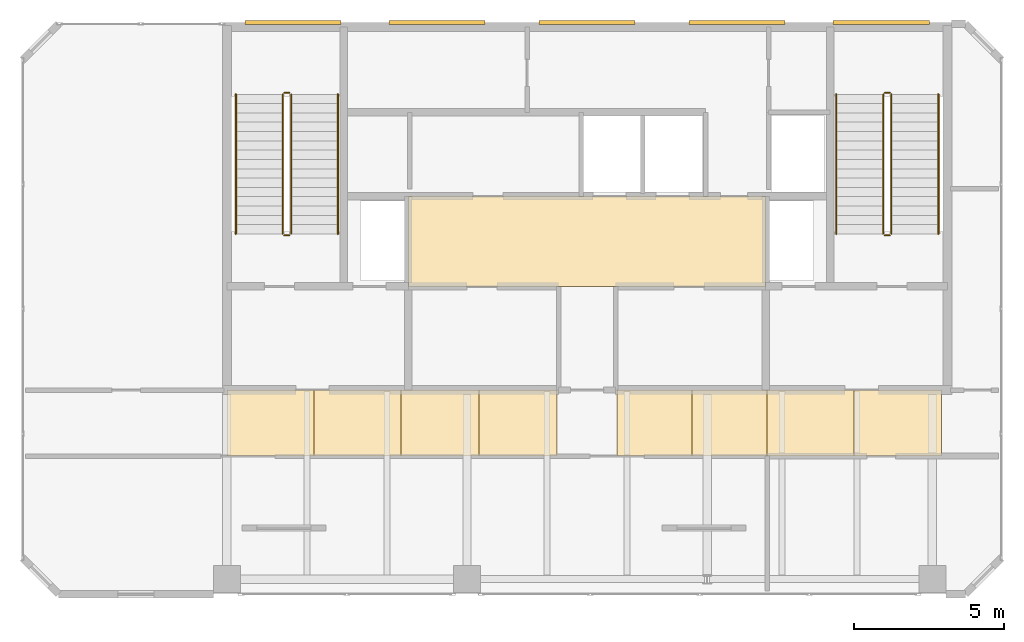
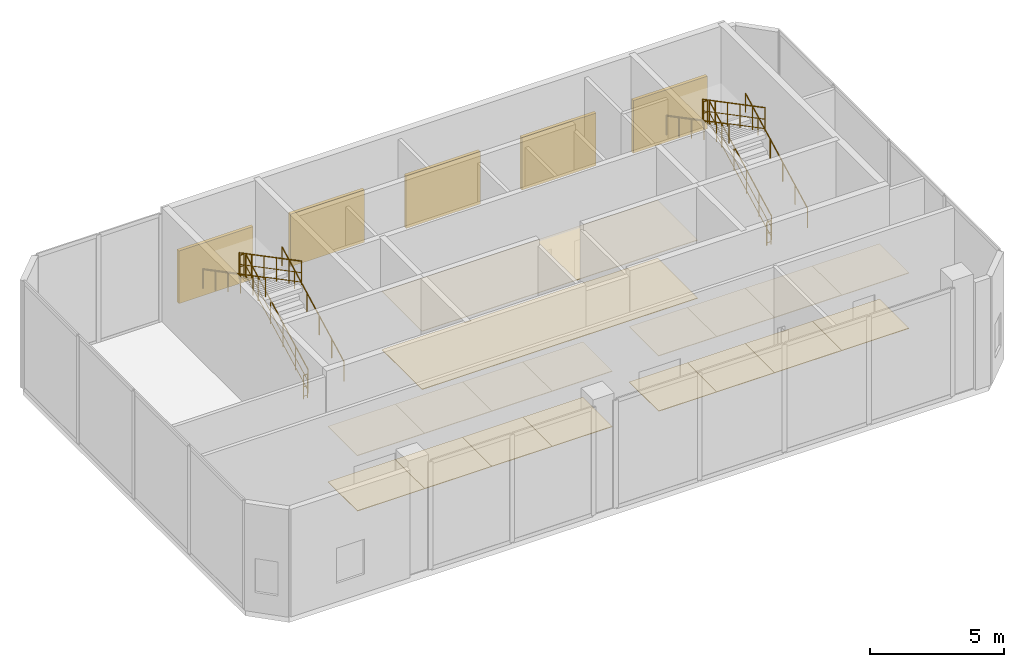
# One storey, part 10 of 10: 18 coverings, 12 railings, 5 shading devices.
"""IFC4 building model written with IfcOpenShell, lengths in metres."""

from ifc_helpers import new_model, si_unit, direction, frame, origin, origin_2d, place, context, subcontext, project, spatial, polyline, rectangle, circle, outline, extrude, material, layer, layer_set, type_object, element, save


model = new_model("IFC4")

# Units and contexts
model_context = context("Model", 3, precision=1e-05, world=origin(), true_north=direction((0.0, 1.0)))
body_context = subcontext(model_context, "Body", "Model", "MODEL_VIEW")
ifc_project = project(units=[si_unit("LENGTHUNIT", "METRE"), si_unit("AREAUNIT", "SQUARE_METRE"), si_unit("VOLUMEUNIT", "CUBIC_METRE"), si_unit("PLANEANGLEUNIT", "RADIAN"), si_unit("MASSUNIT", "GRAM", prefix="KILO")], contexts=[model_context])

# Site, building, storey
site_placement = place(None, origin())
site = spatial("IfcSite", under=ifc_project, at=site_placement, CompositionType="ELEMENT")
building_placement = place(site_placement, origin())
building = spatial("IfcBuilding", under=site, at=building_placement, Name="Catumbela Crestline Tower", CompositionType="ELEMENT")
storey_placement = place(building_placement, frame((0.0, 0.0, 295.8)))
storey = spatial("IfcBuildingStorey", under=building, at=storey_placement, Name="L76", CompositionType="ELEMENT", Elevation=295.8)

# Coverings
ifc_material_1 = material(Name="Mineral-fibre acoustic ceiling")
ifc_layer_1 = layer(ifc_material_1, 0.03, Name="Mineral-fibre acoustic ceiling")
ifc_layer_set_1 = layer_set([ifc_layer_1], Name="Mineral-fibre acoustic ceiling")
covering_type_1 = type_object("IfcCoveringType", Name="CC-AC", PredefinedType="CEILING", material=ifc_layer_set_1)
covering_1_placement = place(storey_placement, frame((0.0, 0.0, 2.65)))
element("IfcCovering", 1, at=covering_1_placement, inside=storey, type_object=covering_type_1, Name="L76 Lift Lobby Acoustic Ceiling", PredefinedType="CEILING", context=body_context, shape_type="SweptSolid", body=[
    extrude(outline(polyline([(22.05, 34.25), (33.95, 34.25), (33.95, 37.25), (22.05, 37.25), (22.05, 34.25)])), origin(), (0.0, 0.0, 1.0), 0.03),
])
covering_2_placement = place(storey_placement, frame((0.0, 0.0, 2.52)))
element("IfcCovering", 2, at=covering_2_placement, inside=storey, type_object=covering_type_1, Name="L76 Corridor Acoustic Ceiling Bay 1", PredefinedType="CEILING", context=body_context, shape_type="SweptSolid", body=[
    extrude(outline(polyline([(16.0, 28.6), (18.9, 28.6), (18.9, 30.8), (16.0, 30.8), (16.0, 28.6)])), origin(), (0.0, 0.0, 1.0), 0.03),
])
covering_3_placement = place(storey_placement, frame((0.0, 0.0, 2.52)))
element("IfcCovering", 3, at=covering_3_placement, inside=storey, type_object=covering_type_1, Name="L76 Corridor Acoustic Ceiling Bay 2", PredefinedType="CEILING", context=body_context, shape_type="SweptSolid", body=[
    extrude(outline(polyline([(18.9, 28.6), (21.8, 28.6), (21.8, 30.8), (18.9, 30.8), (18.9, 28.6)])), origin(), (0.0, 0.0, 1.0), 0.03),
])
covering_4_placement = place(storey_placement, frame((0.0, 0.0, 2.52)))
element("IfcCovering", 4, at=covering_4_placement, inside=storey, type_object=covering_type_1, Name="L76 Corridor Acoustic Ceiling Bay 3", PredefinedType="CEILING", context=body_context, shape_type="SweptSolid", body=[
    extrude(outline(polyline([(21.8, 28.6), (24.4, 28.6), (24.4, 30.8), (21.8, 30.8), (21.8, 28.6)])), origin(), (0.0, 0.0, 1.0), 0.03),
])
covering_5_placement = place(storey_placement, frame((0.0, 0.0, 2.52)))
element("IfcCovering", 5, at=covering_5_placement, inside=storey, type_object=covering_type_1, Name="L76 Corridor Acoustic Ceiling Bay 4", PredefinedType="CEILING", context=body_context, shape_type="SweptSolid", body=[
    extrude(outline(polyline([(24.4, 28.6), (27.0, 28.6), (27.0, 30.8), (24.4, 30.8), (24.4, 28.6)])), origin(), (0.0, 0.0, 1.0), 0.03),
])
covering_6_placement = place(storey_placement, frame((0.0, 0.0, 2.52)))
element("IfcCovering", 6, at=covering_6_placement, inside=storey, type_object=covering_type_1, Name="L76 Corridor Acoustic Ceiling Bay 5", PredefinedType="CEILING", context=body_context, shape_type="SweptSolid", body=[
    extrude(outline(polyline([(29.0, 28.6), (31.5, 28.6), (31.5, 30.8), (29.0, 30.8), (29.0, 28.6)])), origin(), (0.0, 0.0, 1.0), 0.03),
])
covering_7_placement = place(storey_placement, frame((0.0, 0.0, 2.52)))
element("IfcCovering", 7, at=covering_7_placement, inside=storey, type_object=covering_type_1, Name="L76 Corridor Acoustic Ceiling Bay 6", PredefinedType="CEILING", context=body_context, shape_type="SweptSolid", body=[
    extrude(outline(polyline([(31.5, 28.6), (34.0, 28.6), (34.0, 30.8), (31.5, 30.8), (31.5, 28.6)])), origin(), (0.0, 0.0, 1.0), 0.03),
])
covering_8_placement = place(storey_placement, frame((0.0, 0.0, 2.52)))
element("IfcCovering", 8, at=covering_8_placement, inside=storey, type_object=covering_type_1, Name="L76 Corridor Acoustic Ceiling Bay 7", PredefinedType="CEILING", context=body_context, shape_type="SweptSolid", body=[
    extrude(outline(polyline([(34.0, 28.6), (36.9, 28.6), (36.9, 30.8), (34.0, 30.8), (34.0, 28.6)])), origin(), (0.0, 0.0, 1.0), 0.03),
])
covering_9_placement = place(storey_placement, frame((0.0, 0.0, 2.52)))
element("IfcCovering", 9, at=covering_9_placement, inside=storey, type_object=covering_type_1, Name="L76 Corridor Acoustic Ceiling Bay 8", PredefinedType="CEILING", context=body_context, shape_type="SweptSolid", body=[
    extrude(outline(polyline([(36.9, 28.6), (39.8, 28.6), (39.8, 30.8), (36.9, 30.8), (36.9, 28.6)])), origin(), (0.0, 0.0, 1.0), 0.03),
])
ifc_material_2 = material(Name="Angolan grey-ochre granite", Category="masonry")
ifc_layer_2 = layer(ifc_material_2, 0.025, Name="Angolan grey-ochre granite")
ifc_layer_set_2 = layer_set([ifc_layer_2], Name="Angolan grey-ochre granite")
covering_type_2 = type_object("IfcCoveringType", Name="CF-GR", PredefinedType="FLOORING", material=ifc_layer_set_2)
covering_10_placement = place(storey_placement, origin())
element("IfcCovering", 10, at=covering_10_placement, inside=storey, type_object=covering_type_2, Name="L76 Corridor Granite Flooring Bay 1", PredefinedType="FLOORING", context=body_context, shape_type="SweptSolid", body=[
    extrude(outline(polyline([(16.0, 28.6), (18.9, 28.6), (18.9, 30.8), (16.0, 30.8), (16.0, 28.6)])), origin(), (0.0, 0.0, 1.0), 0.025),
])
covering_11_placement = place(storey_placement, origin())
element("IfcCovering", 11, at=covering_11_placement, inside=storey, type_object=covering_type_2, Name="L76 Corridor Granite Flooring Bay 2", PredefinedType="FLOORING", context=body_context, shape_type="SweptSolid", body=[
    extrude(outline(polyline([(18.9, 28.6), (21.8, 28.6), (21.8, 30.8), (18.9, 30.8), (18.9, 28.6)])), origin(), (0.0, 0.0, 1.0), 0.025),
])
covering_12_placement = place(storey_placement, origin())
element("IfcCovering", 12, at=covering_12_placement, inside=storey, type_object=covering_type_2, Name="L76 Corridor Granite Flooring Bay 3", PredefinedType="FLOORING", context=body_context, shape_type="SweptSolid", body=[
    extrude(outline(polyline([(21.8, 28.6), (24.4, 28.6), (24.4, 30.8), (21.8, 30.8), (21.8, 28.6)])), origin(), (0.0, 0.0, 1.0), 0.025),
])
covering_13_placement = place(storey_placement, origin())
element("IfcCovering", 13, at=covering_13_placement, inside=storey, type_object=covering_type_2, Name="L76 Corridor Granite Flooring Bay 4", PredefinedType="FLOORING", context=body_context, shape_type="SweptSolid", body=[
    extrude(outline(polyline([(24.4, 28.6), (27.0, 28.6), (27.0, 30.8), (24.4, 30.8), (24.4, 28.6)])), origin(), (0.0, 0.0, 1.0), 0.025),
])
covering_14_placement = place(storey_placement, origin())
element("IfcCovering", 14, at=covering_14_placement, inside=storey, type_object=covering_type_2, Name="L76 Corridor Granite Flooring Bay 5", PredefinedType="FLOORING", context=body_context, shape_type="SweptSolid", body=[
    extrude(outline(polyline([(29.0, 28.6), (31.5, 28.6), (31.5, 30.8), (29.0, 30.8), (29.0, 28.6)])), origin(), (0.0, 0.0, 1.0), 0.025),
])
covering_15_placement = place(storey_placement, origin())
element("IfcCovering", 15, at=covering_15_placement, inside=storey, type_object=covering_type_2, Name="L76 Corridor Granite Flooring Bay 6", PredefinedType="FLOORING", context=body_context, shape_type="SweptSolid", body=[
    extrude(outline(polyline([(31.5, 28.6), (34.0, 28.6), (34.0, 30.8), (31.5, 30.8), (31.5, 28.6)])), origin(), (0.0, 0.0, 1.0), 0.025),
])
covering_16_placement = place(storey_placement, origin())
element("IfcCovering", 16, at=covering_16_placement, inside=storey, type_object=covering_type_2, Name="L76 Corridor Granite Flooring Bay 7", PredefinedType="FLOORING", context=body_context, shape_type="SweptSolid", body=[
    extrude(outline(polyline([(34.0, 28.6), (36.9, 28.6), (36.9, 30.8), (34.0, 30.8), (34.0, 28.6)])), origin(), (0.0, 0.0, 1.0), 0.025),
])
covering_17_placement = place(storey_placement, origin())
element("IfcCovering", 17, at=covering_17_placement, inside=storey, type_object=covering_type_2, Name="L76 Corridor Granite Flooring Bay 8", PredefinedType="FLOORING", context=body_context, shape_type="SweptSolid", body=[
    extrude(outline(polyline([(36.9, 28.6), (39.8, 28.6), (39.8, 30.8), (36.9, 30.8), (36.9, 28.6)])), origin(), (0.0, 0.0, 1.0), 0.025),
])
covering_18_placement = place(storey_placement, origin())
element("IfcCovering", 18, at=covering_18_placement, inside=storey, type_object=covering_type_2, Name="L76 Lift Lobby Granite Flooring", PredefinedType="FLOORING", context=body_context, shape_type="SweptSolid", body=[
    extrude(outline(polyline([(22.05, 34.25), (33.95, 34.25), (33.95, 37.25), (22.05, 37.25), (22.05, 34.25)])), origin(), (0.0, 0.0, 1.0), 0.025),
])

# Railings
ifc_material_3 = material(Name="Stainless steel EN 1.4401", Category="steel")
railing_type_1 = type_object("IfcRailingType", Name="RG-1100", PredefinedType="GUARDRAIL", material=ifc_material_3)
railing_1_placement = place(storey_placement, frame((18.14, 36.0, 0.1625)))
element("IfcRailing", 19, at=railing_1_placement, inside=storey, type_object=railing_type_1, Name="L76 ST-01 stair guard 1", PredefinedType="GUARDRAIL", context=body_context, shape_type="SweptSolid", body=[
    extrude(circle(Radius=0.024, at=origin_2d()), frame((0.0, 0.0, 1.076), z_axis=(0.0, 0.885691691827, 0.464273870716), x_axis=(-1.0, 0.0, 0.0)), (0.0, 0.0, 1.0), 5.2501),
    extrude(circle(Radius=0.0156, at=origin_2d()), frame((0.0, 0.0, 0.55), z_axis=(0.0, 0.885691691827, 0.464273870716), x_axis=(-1.0, 0.0, 0.0)), (0.0, 0.0, 1.0), 5.2501),
    extrude(circle(Radius=0.0156, at=origin_2d()), frame((0.0, 0.0, 0.12), z_axis=(0.0, 0.885691691827, 0.464273870716), x_axis=(-1.0, 0.0, 0.0)), (0.0, 0.0, 1.0), 5.2501),
    extrude(circle(Radius=0.021, at=origin_2d()), origin(), (0.0, 0.0, 1.0), 1.052),
    extrude(circle(Radius=0.021, at=origin_2d()), frame((0.0, 0.93, 0.4875)), (0.0, 0.0, 1.0), 1.052),
    extrude(circle(Radius=0.021, at=origin_2d()), frame((0.0, 1.86, 0.975)), (0.0, 0.0, 1.0), 1.052),
    extrude(circle(Radius=0.021, at=origin_2d()), frame((0.0, 2.79, 1.4625)), (0.0, 0.0, 1.0), 1.052),
    extrude(circle(Radius=0.021, at=origin_2d()), frame((0.0, 3.72, 1.95)), (0.0, 0.0, 1.0), 1.052),
    extrude(circle(Radius=0.021, at=origin_2d()), frame((0.0, 4.65, 2.4375)), (0.0, 0.0, 1.0), 1.052),
])
railing_2_placement = place(storey_placement, frame((18.09, 40.7, 2.6)))
element("IfcRailing", 20, at=railing_2_placement, inside=storey, type_object=railing_type_1, Name="L76 ST-01 stair guard 2", PredefinedType="GUARDRAIL", context=body_context, shape_type="SweptSolid", body=[
    extrude(circle(Radius=0.024, at=origin_2d()), frame((0.0, 0.0, 1.076), z_axis=(-1.0, 0.0, 0.0), x_axis=(0.0, -1.0, 0.0)), (0.0, 0.0, 1.0), 0.18),
    extrude(circle(Radius=0.0156, at=origin_2d()), frame((0.0, 0.0, 0.55), z_axis=(-1.0, 0.0, 0.0), x_axis=(0.0, -1.0, 0.0)), (0.0, 0.0, 1.0), 0.18),
    extrude(circle(Radius=0.0156, at=origin_2d()), frame((0.0, 0.0, 0.12), z_axis=(-1.0, 0.0, 0.0), x_axis=(0.0, -1.0, 0.0)), (0.0, 0.0, 1.0), 0.18),
    extrude(circle(Radius=0.021, at=origin_2d()), origin(), (0.0, 0.0, 1.0), 1.052),
    extrude(circle(Radius=0.021, at=origin_2d()), frame((-0.18, 0.0, 0.0)), (0.0, 0.0, 1.0), 1.052),
])
railing_3_placement = place(storey_placement, frame((17.86, 40.65, 2.7625)))
element("IfcRailing", 21, at=railing_3_placement, inside=storey, type_object=railing_type_1, Name="L76 ST-01 stair guard 3", PredefinedType="GUARDRAIL", context=body_context, shape_type="SweptSolid", body=[
    extrude(circle(Radius=0.024, at=origin_2d()), frame((0.0, 0.0, 1.076), z_axis=(0.0, -0.885691691827, 0.464273870716), x_axis=(1.0, 0.0, 0.0)), (0.0, 0.0, 1.0), 5.2501),
    extrude(circle(Radius=0.0156, at=origin_2d()), frame((0.0, 0.0, 0.55), z_axis=(0.0, -0.885691691827, 0.464273870716), x_axis=(1.0, 0.0, 0.0)), (0.0, 0.0, 1.0), 5.2501),
    extrude(circle(Radius=0.0156, at=origin_2d()), frame((0.0, 0.0, 0.12), z_axis=(0.0, -0.885691691827, 0.464273870716), x_axis=(1.0, 0.0, 0.0)), (0.0, 0.0, 1.0), 5.2501),
    extrude(circle(Radius=0.021, at=origin_2d()), origin(), (0.0, 0.0, 1.0), 1.052),
    extrude(circle(Radius=0.021, at=origin_2d()), frame((0.0, -0.93, 0.4875)), (0.0, 0.0, 1.0), 1.052),
    extrude(circle(Radius=0.021, at=origin_2d()), frame((0.0, -1.86, 0.975)), (0.0, 0.0, 1.0), 1.052),
    extrude(circle(Radius=0.021, at=origin_2d()), frame((0.0, -2.79, 1.4625)), (0.0, 0.0, 1.0), 1.052),
    extrude(circle(Radius=0.021, at=origin_2d()), frame((0.0, -3.72, 1.95)), (0.0, 0.0, 1.0), 1.052),
    extrude(circle(Radius=0.021, at=origin_2d()), frame((0.0, -4.65, 2.4375)), (0.0, 0.0, 1.0), 1.052),
])
railing_4_placement = place(storey_placement, frame((18.09, 35.95, 0.0)))
element("IfcRailing", 22, at=railing_4_placement, inside=storey, type_object=railing_type_1, Name="L76 ST-01 stair guard 4", PredefinedType="GUARDRAIL", context=body_context, shape_type="SweptSolid", body=[
    extrude(circle(Radius=0.024, at=origin_2d()), frame((0.0, 0.0, 1.076), z_axis=(-1.0, 0.0, 0.0), x_axis=(0.0, -1.0, 0.0)), (0.0, 0.0, 1.0), 0.18),
    extrude(circle(Radius=0.0156, at=origin_2d()), frame((0.0, 0.0, 0.55), z_axis=(-1.0, 0.0, 0.0), x_axis=(0.0, -1.0, 0.0)), (0.0, 0.0, 1.0), 0.18),
    extrude(circle(Radius=0.0156, at=origin_2d()), frame((0.0, 0.0, 0.12), z_axis=(-1.0, 0.0, 0.0), x_axis=(0.0, -1.0, 0.0)), (0.0, 0.0, 1.0), 0.18),
    extrude(circle(Radius=0.021, at=origin_2d()), origin(), (0.0, 0.0, 1.0), 1.052),
    extrude(circle(Radius=0.021, at=origin_2d()), frame((-0.18, 0.0, 0.0)), (0.0, 0.0, 1.0), 1.052),
])
railing_5_placement = place(storey_placement, frame((38.14, 36.0, 0.1625)))
element("IfcRailing", 23, at=railing_5_placement, inside=storey, type_object=railing_type_1, Name="L76 ST-02 stair guard 1", PredefinedType="GUARDRAIL", context=body_context, shape_type="SweptSolid", body=[
    extrude(circle(Radius=0.024, at=origin_2d()), frame((0.0, 0.0, 1.076), z_axis=(0.0, 0.885691691827, 0.464273870716), x_axis=(-1.0, 0.0, 0.0)), (0.0, 0.0, 1.0), 5.2501),
    extrude(circle(Radius=0.0156, at=origin_2d()), frame((0.0, 0.0, 0.55), z_axis=(0.0, 0.885691691827, 0.464273870716), x_axis=(-1.0, 0.0, 0.0)), (0.0, 0.0, 1.0), 5.2501),
    extrude(circle(Radius=0.0156, at=origin_2d()), frame((0.0, 0.0, 0.12), z_axis=(0.0, 0.885691691827, 0.464273870716), x_axis=(-1.0, 0.0, 0.0)), (0.0, 0.0, 1.0), 5.2501),
    extrude(circle(Radius=0.021, at=origin_2d()), origin(), (0.0, 0.0, 1.0), 1.052),
    extrude(circle(Radius=0.021, at=origin_2d()), frame((0.0, 0.93, 0.4875)), (0.0, 0.0, 1.0), 1.052),
    extrude(circle(Radius=0.021, at=origin_2d()), frame((0.0, 1.86, 0.975)), (0.0, 0.0, 1.0), 1.052),
    extrude(circle(Radius=0.021, at=origin_2d()), frame((0.0, 2.79, 1.4625)), (0.0, 0.0, 1.0), 1.052),
    extrude(circle(Radius=0.021, at=origin_2d()), frame((0.0, 3.72, 1.95)), (0.0, 0.0, 1.0), 1.052),
    extrude(circle(Radius=0.021, at=origin_2d()), frame((0.0, 4.65, 2.4375)), (0.0, 0.0, 1.0), 1.052),
])
railing_6_placement = place(storey_placement, frame((38.09, 40.7, 2.6)))
element("IfcRailing", 24, at=railing_6_placement, inside=storey, type_object=railing_type_1, Name="L76 ST-02 stair guard 2", PredefinedType="GUARDRAIL", context=body_context, shape_type="SweptSolid", body=[
    extrude(circle(Radius=0.024, at=origin_2d()), frame((0.0, 0.0, 1.076), z_axis=(-1.0, 0.0, 0.0), x_axis=(0.0, -1.0, 0.0)), (0.0, 0.0, 1.0), 0.18),
    extrude(circle(Radius=0.0156, at=origin_2d()), frame((0.0, 0.0, 0.55), z_axis=(-1.0, 0.0, 0.0), x_axis=(0.0, -1.0, 0.0)), (0.0, 0.0, 1.0), 0.18),
    extrude(circle(Radius=0.0156, at=origin_2d()), frame((0.0, 0.0, 0.12), z_axis=(-1.0, 0.0, 0.0), x_axis=(0.0, -1.0, 0.0)), (0.0, 0.0, 1.0), 0.18),
    extrude(circle(Radius=0.021, at=origin_2d()), origin(), (0.0, 0.0, 1.0), 1.052),
    extrude(circle(Radius=0.021, at=origin_2d()), frame((-0.18, 0.0, 0.0)), (0.0, 0.0, 1.0), 1.052),
])
railing_7_placement = place(storey_placement, frame((37.86, 40.65, 2.7625)))
element("IfcRailing", 25, at=railing_7_placement, inside=storey, type_object=railing_type_1, Name="L76 ST-02 stair guard 3", PredefinedType="GUARDRAIL", context=body_context, shape_type="SweptSolid", body=[
    extrude(circle(Radius=0.024, at=origin_2d()), frame((0.0, 0.0, 1.076), z_axis=(0.0, -0.885691691827, 0.464273870716), x_axis=(1.0, 0.0, 0.0)), (0.0, 0.0, 1.0), 5.2501),
    extrude(circle(Radius=0.0156, at=origin_2d()), frame((0.0, 0.0, 0.55), z_axis=(0.0, -0.885691691827, 0.464273870716), x_axis=(1.0, 0.0, 0.0)), (0.0, 0.0, 1.0), 5.2501),
    extrude(circle(Radius=0.0156, at=origin_2d()), frame((0.0, 0.0, 0.12), z_axis=(0.0, -0.885691691827, 0.464273870716), x_axis=(1.0, 0.0, 0.0)), (0.0, 0.0, 1.0), 5.2501),
    extrude(circle(Radius=0.021, at=origin_2d()), origin(), (0.0, 0.0, 1.0), 1.052),
    extrude(circle(Radius=0.021, at=origin_2d()), frame((0.0, -0.93, 0.4875)), (0.0, 0.0, 1.0), 1.052),
    extrude(circle(Radius=0.021, at=origin_2d()), frame((0.0, -1.86, 0.975)), (0.0, 0.0, 1.0), 1.052),
    extrude(circle(Radius=0.021, at=origin_2d()), frame((0.0, -2.79, 1.4625)), (0.0, 0.0, 1.0), 1.052),
    extrude(circle(Radius=0.021, at=origin_2d()), frame((0.0, -3.72, 1.95)), (0.0, 0.0, 1.0), 1.052),
    extrude(circle(Radius=0.021, at=origin_2d()), frame((0.0, -4.65, 2.4375)), (0.0, 0.0, 1.0), 1.052),
])
railing_8_placement = place(storey_placement, frame((38.09, 35.95, 0.0)))
element("IfcRailing", 26, at=railing_8_placement, inside=storey, type_object=railing_type_1, Name="L76 ST-02 stair guard 4", PredefinedType="GUARDRAIL", context=body_context, shape_type="SweptSolid", body=[
    extrude(circle(Radius=0.024, at=origin_2d()), frame((0.0, 0.0, 1.076), z_axis=(-1.0, 0.0, 0.0), x_axis=(0.0, -1.0, 0.0)), (0.0, 0.0, 1.0), 0.18),
    extrude(circle(Radius=0.0156, at=origin_2d()), frame((0.0, 0.0, 0.55), z_axis=(-1.0, 0.0, 0.0), x_axis=(0.0, -1.0, 0.0)), (0.0, 0.0, 1.0), 0.18),
    extrude(circle(Radius=0.0156, at=origin_2d()), frame((0.0, 0.0, 0.12), z_axis=(-1.0, 0.0, 0.0), x_axis=(0.0, -1.0, 0.0)), (0.0, 0.0, 1.0), 0.18),
    extrude(circle(Radius=0.021, at=origin_2d()), origin(), (0.0, 0.0, 1.0), 1.052),
    extrude(circle(Radius=0.021, at=origin_2d()), frame((-0.18, 0.0, 0.0)), (0.0, 0.0, 1.0), 1.052),
])
railing_type_2 = type_object("IfcRailingType", Name="RH-0900", PredefinedType="HANDRAIL", material=ifc_material_3)
railing_9_placement = place(storey_placement, frame((19.7, 36.0, 0.1625)))
element("IfcRailing", 27, at=railing_9_placement, inside=storey, type_object=railing_type_2, Name="L76 ST-01 stair handrail 1", PredefinedType="HANDRAIL", context=body_context, shape_type="SweptSolid", body=[
    extrude(circle(Radius=0.024, at=origin_2d()), frame((0.0, 0.0, 0.876), z_axis=(0.0, 0.885691691827, 0.464273870716), x_axis=(-1.0, 0.0, 0.0)), (0.0, 0.0, 1.0), 5.2501),
    extrude(circle(Radius=0.021, at=origin_2d()), origin(), (0.0, 0.0, 1.0), 0.852),
    extrude(circle(Radius=0.021, at=origin_2d()), frame((0.0, 0.93, 0.4875)), (0.0, 0.0, 1.0), 0.852),
    extrude(circle(Radius=0.021, at=origin_2d()), frame((0.0, 1.86, 0.975)), (0.0, 0.0, 1.0), 0.852),
    extrude(circle(Radius=0.021, at=origin_2d()), frame((0.0, 2.79, 1.4625)), (0.0, 0.0, 1.0), 0.852),
    extrude(circle(Radius=0.021, at=origin_2d()), frame((0.0, 3.72, 1.95)), (0.0, 0.0, 1.0), 0.852),
    extrude(circle(Radius=0.021, at=origin_2d()), frame((0.0, 4.65, 2.4375)), (0.0, 0.0, 1.0), 0.852),
])
railing_10_placement = place(storey_placement, frame((16.3, 40.65, 2.7625)))
element("IfcRailing", 28, at=railing_10_placement, inside=storey, type_object=railing_type_2, Name="L76 ST-01 stair handrail 2", PredefinedType="HANDRAIL", context=body_context, shape_type="SweptSolid", body=[
    extrude(circle(Radius=0.024, at=origin_2d()), frame((0.0, 0.0, 0.876), z_axis=(0.0, -0.885691691827, 0.464273870716), x_axis=(1.0, 0.0, 0.0)), (0.0, 0.0, 1.0), 5.2501),
    extrude(circle(Radius=0.021, at=origin_2d()), origin(), (0.0, 0.0, 1.0), 0.852),
    extrude(circle(Radius=0.021, at=origin_2d()), frame((0.0, -0.93, 0.4875)), (0.0, 0.0, 1.0), 0.852),
    extrude(circle(Radius=0.021, at=origin_2d()), frame((0.0, -1.86, 0.975)), (0.0, 0.0, 1.0), 0.852),
    extrude(circle(Radius=0.021, at=origin_2d()), frame((0.0, -2.79, 1.4625)), (0.0, 0.0, 1.0), 0.852),
    extrude(circle(Radius=0.021, at=origin_2d()), frame((0.0, -3.72, 1.95)), (0.0, 0.0, 1.0), 0.852),
    extrude(circle(Radius=0.021, at=origin_2d()), frame((0.0, -4.65, 2.4375)), (0.0, 0.0, 1.0), 0.852),
])
railing_11_placement = place(storey_placement, frame((39.7, 36.0, 0.1625)))
element("IfcRailing", 29, at=railing_11_placement, inside=storey, type_object=railing_type_2, Name="L76 ST-02 stair handrail 1", PredefinedType="HANDRAIL", context=body_context, shape_type="SweptSolid", body=[
    extrude(circle(Radius=0.024, at=origin_2d()), frame((0.0, 0.0, 0.876), z_axis=(0.0, 0.885691691827, 0.464273870716), x_axis=(-1.0, 0.0, 0.0)), (0.0, 0.0, 1.0), 5.2501),
    extrude(circle(Radius=0.021, at=origin_2d()), origin(), (0.0, 0.0, 1.0), 0.852),
    extrude(circle(Radius=0.021, at=origin_2d()), frame((0.0, 0.93, 0.4875)), (0.0, 0.0, 1.0), 0.852),
    extrude(circle(Radius=0.021, at=origin_2d()), frame((0.0, 1.86, 0.975)), (0.0, 0.0, 1.0), 0.852),
    extrude(circle(Radius=0.021, at=origin_2d()), frame((0.0, 2.79, 1.4625)), (0.0, 0.0, 1.0), 0.852),
    extrude(circle(Radius=0.021, at=origin_2d()), frame((0.0, 3.72, 1.95)), (0.0, 0.0, 1.0), 0.852),
    extrude(circle(Radius=0.021, at=origin_2d()), frame((0.0, 4.65, 2.4375)), (0.0, 0.0, 1.0), 0.852),
])
railing_12_placement = place(storey_placement, frame((36.3, 40.65, 2.7625)))
element("IfcRailing", 30, at=railing_12_placement, inside=storey, type_object=railing_type_2, Name="L76 ST-02 stair handrail 2", PredefinedType="HANDRAIL", context=body_context, shape_type="SweptSolid", body=[
    extrude(circle(Radius=0.024, at=origin_2d()), frame((0.0, 0.0, 0.876), z_axis=(0.0, -0.885691691827, 0.464273870716), x_axis=(1.0, 0.0, 0.0)), (0.0, 0.0, 1.0), 5.2501),
    extrude(circle(Radius=0.021, at=origin_2d()), origin(), (0.0, 0.0, 1.0), 0.852),
    extrude(circle(Radius=0.021, at=origin_2d()), frame((0.0, -0.93, 0.4875)), (0.0, 0.0, 1.0), 0.852),
    extrude(circle(Radius=0.021, at=origin_2d()), frame((0.0, -1.86, 0.975)), (0.0, 0.0, 1.0), 0.852),
    extrude(circle(Radius=0.021, at=origin_2d()), frame((0.0, -2.79, 1.4625)), (0.0, 0.0, 1.0), 0.852),
    extrude(circle(Radius=0.021, at=origin_2d()), frame((0.0, -3.72, 1.95)), (0.0, 0.0, 1.0), 0.852),
    extrude(circle(Radius=0.021, at=origin_2d()), frame((0.0, -4.65, 2.4375)), (0.0, 0.0, 1.0), 0.852),
])

# Shading devices
ifc_material_4 = material(Name="Extruded terracotta ceramic", Category="masonry")
shading_device_type_1 = type_object("IfcShadingDeviceType", Name="ST-180", PredefinedType="USERDEFINED", material=ifc_material_4)
for number, where, z_axis, x_axis, name in (
    (31, (18.2, 43.04, 0.55), (0.0, 0.0, 1.0), (1.0, 0.0, 0.0), "L76 Rear Core Terracotta Brise-Soleil Screen 929"),
    (32, (33.0, 43.04, 0.55), (0.0, 0.0, 1.0), (1.0, 0.0, 0.0), "L76 Rear Core Terracotta Brise-Soleil Screen 932"),
):
    element("IfcShadingDevice", number, at=place(storey_placement, frame(where, z_axis=z_axis, x_axis=x_axis)), inside=storey, type_object=shading_device_type_1, Name=name, ObjectType="SCREEN", PredefinedType="USERDEFINED", context=body_context, shape_type="SweptSolid", body=[
        extrude(rectangle(XDim=3.2, YDim=0.14, at=origin_2d()), origin(), (0.0, 0.0, 1.0), 2.4),
    ])
shading_device_type_2 = type_object("IfcShadingDeviceType", Name="ST-260", PredefinedType="USERDEFINED", material=ifc_material_4)
for number, where, z_axis, x_axis, name in (
    (33, (28.0, 43.04, 0.55), (0.0, 0.0, 1.0), (1.0, 0.0, 0.0), "L76 Rear Core Terracotta Brise-Soleil Screen 931"),
    (34, (37.8, 43.04, 0.55), (0.0, 0.0, 1.0), (1.0, 0.0, 0.0), "L76 Rear Core Terracotta Brise-Soleil Screen 933"),
):
    element("IfcShadingDevice", number, at=place(storey_placement, frame(where, z_axis=z_axis, x_axis=x_axis)), inside=storey, type_object=shading_device_type_2, Name=name, ObjectType="SCREEN", PredefinedType="USERDEFINED", context=body_context, shape_type="SweptSolid", body=[
        extrude(rectangle(XDim=3.2, YDim=0.14, at=origin_2d()), origin(), (0.0, 0.0, 1.0), 2.4),
    ])
shading_device_type_3 = type_object("IfcShadingDeviceType", Name="ST-340", PredefinedType="USERDEFINED", material=ifc_material_4)
shading_device_placement = place(storey_placement, frame((23.0, 43.04, 0.55), z_axis=(0.0, 0.0, 1.0), x_axis=(1.0, 0.0, 0.0)))
element("IfcShadingDevice", 35, at=shading_device_placement, inside=storey, type_object=shading_device_type_3, Name="L76 Rear Core Terracotta Brise-Soleil Screen 930", ObjectType="SCREEN", PredefinedType="USERDEFINED", context=body_context, shape_type="SweptSolid", body=[
    extrude(rectangle(XDim=3.2, YDim=0.14, at=origin_2d()), origin(), (0.0, 0.0, 1.0), 2.4),
])

save(model, "model.ifc")
